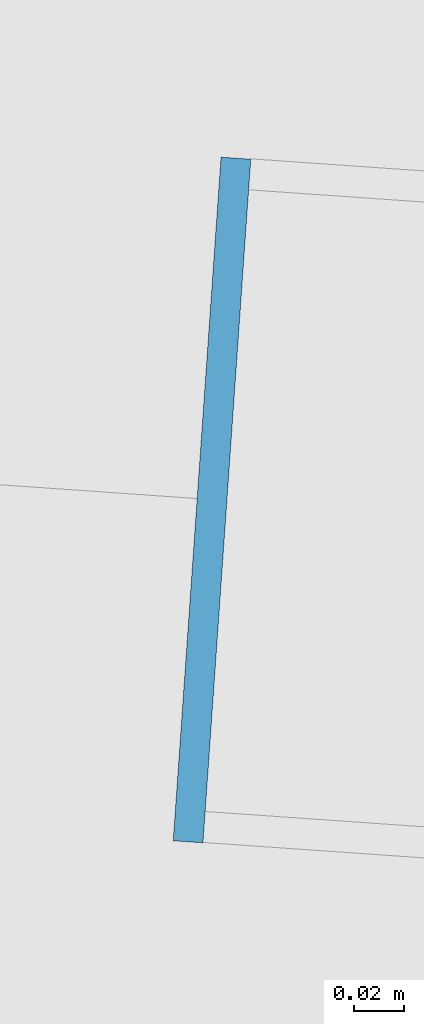
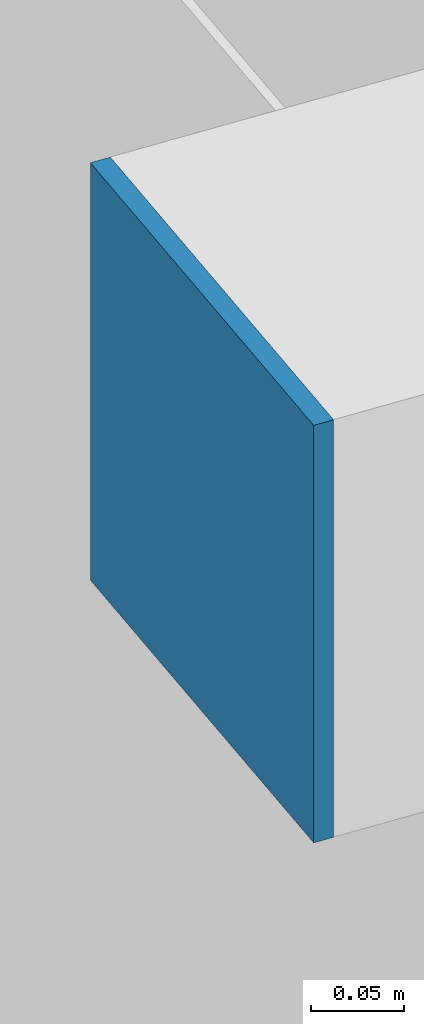
# One storey, part 29 of 39: 1 plate.
"""IFC4 building model written with IfcOpenShell, lengths in metres."""

from ifc_helpers import new_model, si_unit, direction, frame, origin, origin_2d, place, context, subcontext, project, spatial, rectangle, extrude, source, transform, mapped, material, layer, layer_set, type_object, element, save


model = new_model("IFC4")

# Units and contexts
model_context = context("Model", 3, precision=1e-05, world=origin(), true_north=direction((0.0, 1.0)))
body_context = subcontext(model_context, "Body", "Model", "MODEL_VIEW")
ifc_project = project(units=[si_unit("LENGTHUNIT", "METRE"), si_unit("AREAUNIT", "SQUARE_METRE"), si_unit("VOLUMEUNIT", "CUBIC_METRE"), si_unit("PLANEANGLEUNIT", "RADIAN"), si_unit("MASSUNIT", "GRAM", prefix="KILO")], contexts=[model_context])

# Site, building, storey
site_placement = place(None, origin())
site = spatial("IfcSite", under=ifc_project, at=site_placement, CompositionType="ELEMENT")
building_placement = place(site_placement, origin())
building = spatial("IfcBuilding", under=site, at=building_placement, Name="Taldren Reach Tower", CompositionType="ELEMENT")
storey_placement = place(building_placement, frame((0.0, 0.0, 129.85009765625)))
storey = spatial("IfcBuildingStorey", under=building, at=storey_placement, Name="L39", CompositionType="ELEMENT", Elevation=129.85009765625)

# Plate
ifc_material = material(Name="Steel Gr 450 (C450L0)", Category="steel")
ifc_layer = layer(ifc_material, 0.011962890625)
ifc_layer_set = layer_set([ifc_layer], Name="Steel Gr 450 (C450L0)")
plate_type = type_object("IfcPlateType", Name="PL-CAP-275", PredefinedType="SHEET", material=ifc_layer_set)
shared_shape = source(origin(), body_context, "Body", "SweptSolid", [
    extrude(rectangle(XDim=0.011962890625, YDim=0.27490234375, at=origin_2d()), origin(), (0.0, 0.0, 1.0), 0.27490234375),
])
plate_placement = place(storey_placement, frame((8.3095703125, 21.976806640625, 2.512451171875), z_axis=(0.0, 0.0, 1.0), x_axis=(0.99756405026, -0.069756473744, 0.0)))
element("IfcPlate", 1, at=plate_placement, inside=storey, type_object=plate_type, Name="Tie strut end cap plate B3-W2 L39", PredefinedType="SHEET", context=body_context, shape_type="MappedRepresentation", body=[
    mapped(shared_shape, transform((0.0, 0.0, 0.0), scale=1.0)),
])

save(model, "model.ifc")
